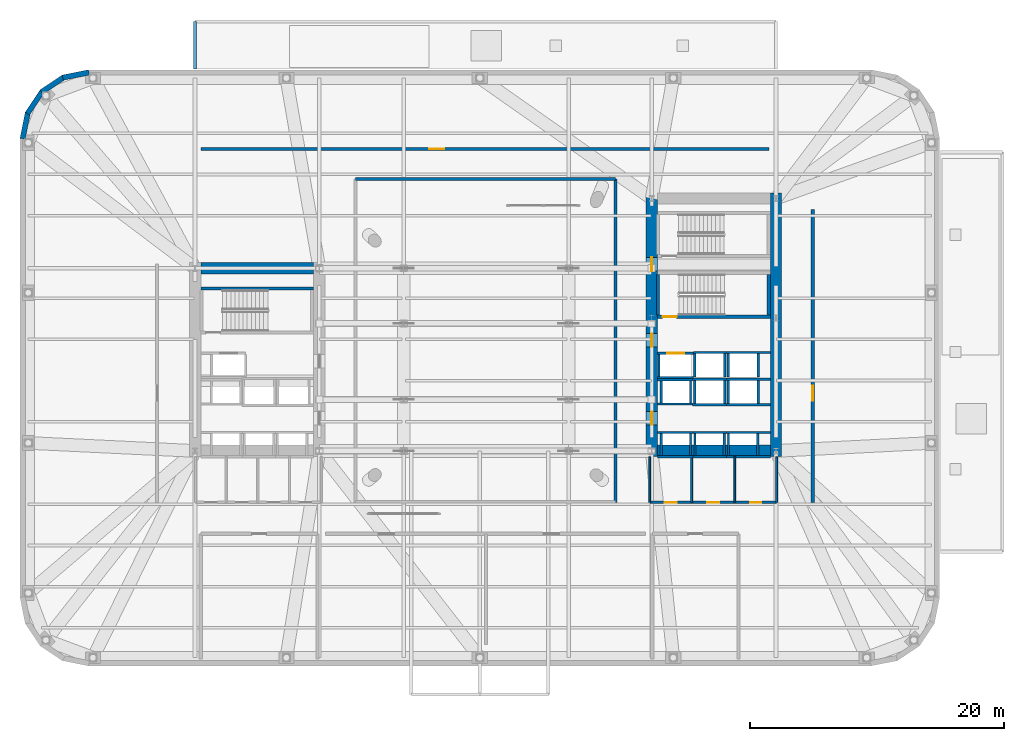
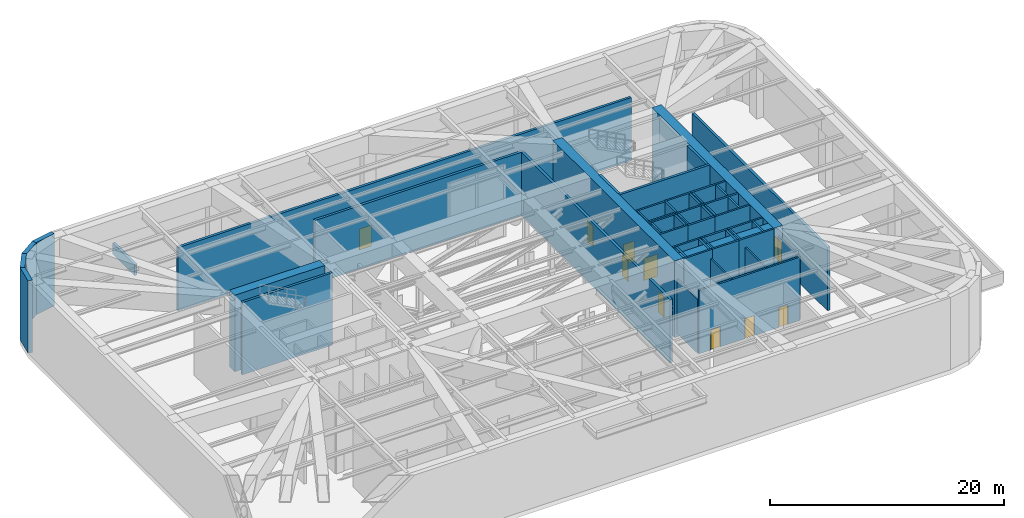
# One storey, part 9 of 15: 55 walls, 10 doors, 10 openings.
"""IFC4 building model written with IfcOpenShell, lengths in metres."""

import ifcopenshell
import ifcopenshell.guid

model = None  # the IFC model being written
_history = None  # IfcOwnerHistory: only IFC2X3 demands one
_inside = {}  # id of a spatial element -> (the spatial element, [elements in it])
_under = {}  # id of a project, library or spatial element -> (it, [spatial elements below it])
_declared = {}  # id of a project -> (the project, [libraries it declares])
_typed = {}  # id of a type object -> (the type object, [elements of that type])
_made_of = {}  # id of a material, layer set ... -> (it, [elements and type objects made of it])


def new_model(schema):
    """Start an empty IFC model of exactly this schema.

    Asked for "IFC4X3", IfcOpenShell would pick the latest addendum, in which some entities
    have other attributes; the version numbers below select the first issue.
    IFC2X3 requires an IfcOwnerHistory on every rooted entity: one is made here for all.
    """
    global model, _history
    if schema == "IFC4X3":
        model = ifcopenshell.file(schema_version=(4, 3, 0, 0))
    else:
        model = ifcopenshell.file(schema=schema)
    _inside.clear()
    _under.clear()
    _declared.clear()
    _typed.clear()
    _made_of.clear()
    _history = None
    if model.schema == "IFC2X3":
        org = make("IfcOrganization", Name="unknown")
        user = make(
            "IfcPersonAndOrganization",
            ThePerson=make("IfcPerson", FamilyName="unknown"),
            TheOrganization=org,
        )
        app = make(
            "IfcApplication",
            ApplicationDeveloper=org,
            Version="unknown",
            ApplicationFullName="unknown",
            ApplicationIdentifier="unknown",
        )
        _history = make(
            "IfcOwnerHistory",
            OwningUser=user,
            OwningApplication=app,
            ChangeAction="ADDED",
            CreationDate=0,
        )
    return model


def make(cls, **values):
    """One entity of the class cls with the attributes given. An attribute that is None is left unset."""
    return model.create_entity(
        cls, **{name: value for name, value in values.items() if value is not None}
    )


def rooted(cls, **values):
    """An entity with a GlobalId (a new one), such as an element, a storey or a relation."""
    return make(cls, GlobalId=ifcopenshell.guid.new(), OwnerHistory=_history, **values)


def si_unit(unit_type, name, prefix=None):
    """IfcSIUnit, for example si_unit("LENGTHUNIT", "METRE", prefix="MILLI")."""
    return make("IfcSIUnit", UnitType=unit_type, Prefix=prefix, Name=name)


def assignment(units):
    """IfcUnitAssignment: the units of a project."""
    return None if units is None else make("IfcUnitAssignment", Units=units)


def point(xyz):
    """IfcCartesianPoint."""
    return None if xyz is None else make("IfcCartesianPoint", Coordinates=xyz)


def direction(xyz):
    """IfcDirection."""
    return None if xyz is None else make("IfcDirection", DirectionRatios=xyz)


def frame(location, z_axis=None, x_axis=None):
    """IfcAxis2Placement3D, a coordinate frame: its origin and axes. An axis left out is left unset."""
    return make(
        "IfcAxis2Placement3D",
        Location=point(location),
        Axis=direction(z_axis),
        RefDirection=direction(x_axis),
    )


def frame_2d(location, x_axis=None):
    """IfcAxis2Placement2D, a coordinate frame in the plane: its origin and x axis."""
    return make(
        "IfcAxis2Placement2D", Location=point(location), RefDirection=direction(x_axis)
    )


def origin():
    """The frame at (0, 0, 0) with its axes left unset."""
    return frame((0.0, 0.0, 0.0))


def place(relative_to, where):
    """IfcLocalPlacement: puts the frame where relative to a parent placement (None: the world)."""
    return make(
        "IfcLocalPlacement", PlacementRelTo=relative_to, RelativePlacement=where
    )


def context(
    kind, dimensions, precision=None, world=None, true_north=None, identifier=None
):
    """IfcGeometricRepresentationContext, for example the 3D "Model" context."""
    return make(
        "IfcGeometricRepresentationContext",
        ContextIdentifier=identifier,
        ContextType=kind,
        CoordinateSpaceDimension=dimensions,
        Precision=precision,
        WorldCoordinateSystem=world,
        TrueNorth=true_north,
    )


def subcontext(parent, identifier, kind, view, scale=None):
    """IfcGeometricRepresentationSubContext, for example "Body" below "Model"."""
    return make(
        "IfcGeometricRepresentationSubContext",
        ContextIdentifier=identifier,
        ContextType=kind,
        ParentContext=parent,
        TargetScale=scale,
        TargetView=view,
    )


def project(units=None, contexts=None):
    """IfcProject with its units and contexts."""
    return rooted(
        "IfcProject",
        Name="project",
        RepresentationContexts=contexts,
        UnitsInContext=assignment(units),
    )


def spatial(cls, under=None, at=None, **own):
    """A site, building, storey or space (cls), placed at a placement, below another one or the project."""
    s = rooted(cls, ObjectPlacement=at, **own)
    if under is not None:
        _under.setdefault(under.id(), (under, []))[1].append(s)
    return s


def profile(cls, at=None, kind="AREA", **sizes):
    """A parametric profile (cls). Its sizes go by their IFC names, for example OverallWidth=200.0."""
    return make(cls, ProfileType=kind, Position=at, **sizes)


def rectangle(**sizes):
    """IfcRectangleProfileDef."""
    return profile("IfcRectangleProfileDef", **sizes)


def extrude(swept, where, along, depth):
    """IfcExtrudedAreaSolid: the profile swept, set in the frame where, extruded along a direction by depth."""
    return make(
        "IfcExtrudedAreaSolid",
        SweptArea=swept,
        Position=where,
        ExtrudedDirection=direction(along),
        Depth=depth,
    )


def shape(context_of_items, identifier, shape_type, items):
    """IfcShapeRepresentation: the items that make up one representation, for example the "Body"."""
    return make(
        "IfcShapeRepresentation",
        ContextOfItems=context_of_items,
        RepresentationIdentifier=identifier,
        RepresentationType=shape_type,
        Items=items,
    )


def material(Name=None, Category=None):
    """IfcMaterial."""
    return make("IfcMaterial", Name=Name, Category=Category)


def layer(
    of_material, thickness, ventilated=None, Name=None, Category=None, Priority=None
):
    """IfcMaterialLayer: one layer of a wall or slab, of a material (None: an air gap)."""
    return make(
        "IfcMaterialLayer",
        Material=of_material,
        LayerThickness=thickness,
        IsVentilated=ventilated,
        Name=Name,
        Category=Category,
        Priority=Priority,
    )


def layer_set(layers, Name=None):
    """IfcMaterialLayerSet."""
    return make("IfcMaterialLayerSet", MaterialLayers=layers, LayerSetName=Name)


def made_of(thing, what):
    """Note that an element or type object is made of a material, layer set ...; save() writes the relation."""
    if what is not None:
        _made_of.setdefault(what.id(), (what, []))[1].append(thing)
    return thing


def type_object(cls, material=None, **own):
    """A type object (cls), such as IfcWallType, which elements share."""
    return made_of(rooted(cls, **own), material)


def element(
    cls,
    number,
    at=None,
    inside=None,
    cuts=None,
    type_object=None,
    material=None,
    context=None,
    identifier="Body",
    shape_type=None,
    held_by="IfcProductDefinitionShape",
    body=None,
    shapes=None,
    **own,
):
    """One element of the class cls, such as IfcWall. Its Tag is "e" and its number.

    at: its placement. inside: the storey or other place that contains it. cuts: it is an
    opening in that element (IfcRelVoidsElement). A single representation is given by context,
    identifier, shape_type and body (its items); several are given by shapes. held_by: the class
    of the entity that holds the representations. save() writes the other relations.
    """
    e = rooted(cls, Tag="e%d" % number, ObjectPlacement=at, **own)
    if body is not None:
        shapes = [shape(context, identifier, shape_type, body)]
    if shapes is not None:
        e.Representation = make(held_by, Representations=shapes)
    if inside is not None:
        _inside.setdefault(inside.id(), (inside, []))[1].append(e)
    if cuts is not None:
        rooted(
            "IfcRelVoidsElement", RelatingBuildingElement=cuts, RelatedOpeningElement=e
        )
    if type_object is not None:
        _typed.setdefault(type_object.id(), (type_object, []))[1].append(e)
    return made_of(e, material)


def fill(opening, filler):
    """IfcRelFillsElement: the door or window that sits in an opening."""
    return rooted(
        "IfcRelFillsElement",
        RelatingOpeningElement=opening,
        RelatedBuildingElement=filler,
    )


def aggregate(whole, parts):
    """IfcRelAggregates: a whole, such as a stair, and the parts it consists of."""
    return rooted("IfcRelAggregates", RelatingObject=whole, RelatedObjects=parts)


def save(model, path):
    """Write the relations noted so far, then the file.

    IfcRelAggregates (storeys below a building ...), IfcRelContainedInSpatialStructure (elements
    in a storey), IfcRelDefinesByType, IfcRelAssociatesMaterial and IfcRelDeclares: one each for
    every whole, place, type object, material and project.
    """
    for whole, parts in _under.values():
        aggregate(whole, parts)
    for where, things in _inside.values():
        rooted(
            "IfcRelContainedInSpatialStructure",
            RelatedElements=things,
            RelatingStructure=where,
        )
    for kind, things in _typed.values():
        rooted("IfcRelDefinesByType", RelatedObjects=things, RelatingType=kind)
    for what, things in _made_of.values():
        rooted("IfcRelAssociatesMaterial", RelatedObjects=things, RelatingMaterial=what)
    for by, libraries in _declared.values():
        rooted("IfcRelDeclares", RelatingContext=by, RelatedDefinitions=libraries)
    model.write(path)


model = new_model("IFC4")

# Units and contexts
model_context = context("Model", 3, precision=1e-05, world=origin(), true_north=direction((0.0, 1.0)))
body_context = subcontext(model_context, "Body", "Model", "MODEL_VIEW")
ifc_project = project(units=[si_unit("LENGTHUNIT", "METRE"), si_unit("AREAUNIT", "SQUARE_METRE"), si_unit("VOLUMEUNIT", "CUBIC_METRE"), si_unit("PLANEANGLEUNIT", "RADIAN"), si_unit("MASSUNIT", "GRAM", prefix="KILO")], contexts=[model_context])

# Site, building, storey
site_placement = place(None, origin())
site = spatial("IfcSite", under=ifc_project, at=site_placement, CompositionType="ELEMENT")
building_placement = place(site_placement, origin())
building = spatial("IfcBuilding", under=site, at=building_placement, Name="Kolvaren Arena Tower", CompositionType="ELEMENT")
storey_placement = place(building_placement, frame((0.0, 0.0, 34.0)))
storey = spatial("IfcBuildingStorey", under=building, at=storey_placement, Name="L06", CompositionType="ELEMENT", Elevation=34.0)

# Wall
ifc_material_1 = material(Name="Concrete 80 MPa", Category="concrete")
ifc_layer_1 = layer(ifc_material_1, 0.89990234375)
ifc_layer_set_1 = layer_set([ifc_layer_1], Name="Concrete 80 MPa")
wall_type_1 = type_object("IfcWallType", Name="CWALL-900", PredefinedType="SHEAR", material=ifc_layer_set_1)
wall_1_placement = place(storey_placement, frame((15.0, 33.85009765625, -0.449951171875), z_axis=(0.0, 0.0, 1.0), x_axis=(1.0, 0.0, 0.0)))
element("IfcWall", 1, at=wall_1_placement, inside=storey, type_object=wall_type_1, Name="Core Shear Wall WC-NORTH (L06)", PredefinedType="SHEAR", context=body_context, shape_type="SweptSolid", body=[
    extrude(rectangle(XDim=8.89990234375, YDim=0.89990234375, at=frame_2d((4.449951171875, 0.0))), origin(), (0.0, 0.0, 1.0), 8.0),
])

# Wall, openings, doors
wall_2_placement = place(storey_placement, frame((50.550048828125, 19.0, -0.449951171875), z_axis=(0.0, 0.0, 1.0), x_axis=(0.0, 1.0, 0.0)))
wall_2 = element("IfcWall", 2, at=wall_2_placement, inside=storey, type_object=wall_type_1, Name="Core Shear Wall EC-WEST (L06)", PredefinedType="SHEAR", context=body_context, shape_type="SweptSolid", body=[
    extrude(rectangle(XDim=20.800048828125, YDim=0.89990234375, at=frame_2d((10.39990234375, 0.0))), origin(), (0.0, 0.0, 1.0), 8.0),
])
opening_1_placement = place(wall_2_placement, frame((2.5, 0.0, 0.449951171875)))
opening_1 = element("IfcOpeningElement", 3, at=opening_1_placement, cuts=wall_2, Name="Opening D04", PredefinedType="OPENING", context=body_context, shape_type="SweptSolid", body=[
    extrude(rectangle(XDim=1.050048828125, YDim=2.14990234375, at=frame_2d((0.52490234375, 1.074951171875))), frame((0.0, 0.4599609375, 0.0), z_axis=(0.0, -1.0, 0.0), x_axis=(1.0, 0.0, 0.0)), (0.0, 0.0, 1.0), 0.919921875),
])
opening_2_placement = place(wall_2_placement, frame((8.64990234375, 0.0, 0.449951171875)))
opening_2 = element("IfcOpeningElement", 4, at=opening_2_placement, cuts=wall_2, Name="Opening D04", PredefinedType="OPENING", context=body_context, shape_type="SweptSolid", body=[
    extrude(rectangle(XDim=1.050048828125, YDim=2.14990234375, at=frame_2d((0.52490234375, 1.074951171875))), frame((0.0, 0.4599609375, 0.0), z_axis=(0.0, -1.0, 0.0), x_axis=(1.0, 0.0, 0.0)), (0.0, 0.0, 1.0), 0.919921875),
])
opening_3_placement = place(wall_2_placement, frame((14.6201171875, 0.0, 0.449951171875)))
opening_3 = element("IfcOpeningElement", 5, at=opening_3_placement, cuts=wall_2, Name="Opening D03", PredefinedType="OPENING", context=body_context, shape_type="SweptSolid", body=[
    extrude(rectangle(XDim=1.10009765625, YDim=2.14990234375, at=frame_2d((0.550048828125, 1.074951171875))), frame((0.0, 0.4599609375, 0.0), z_axis=(0.0, -1.0, 0.0), x_axis=(1.0, 0.0, 0.0)), (0.0, 0.0, 1.0), 0.919921875),
])
ifc_material_2 = material(Name="Fire-rated steel lobby door", Category="steel")
door_type_1 = type_object("IfcDoorType", Name="DOOR-FF-105", OperationType="NOTDEFINED", PredefinedType="DOOR", material=ifc_material_2)
door_1_placement = place(opening_1_placement, origin())
door_1 = element("IfcDoor", 6, at=door_1_placement, inside=storey, type_object=door_type_1, Name="East Lift Lobby Fire Door (L06)", OperationType="SINGLE_SWING_RIGHT", OverallHeight=2.14990234375, OverallWidth=1.050048828125, PredefinedType="DOOR", context=body_context, shape_type="SweptSolid", body=[
    extrude(rectangle(XDim=1.050048828125, YDim=2.14990234375, at=frame_2d((0.52490234375, 1.074951171875))), frame((0.0, 0.02490234375, 0.0), z_axis=(0.0, -1.0, 0.0), x_axis=(1.0, 0.0, 0.0)), (0.0, 0.0, 1.0), 0.050048828125),
])
fill(opening_1, door_1)
door_2_placement = place(opening_2_placement, origin())
door_2 = element("IfcDoor", 7, at=door_2_placement, inside=storey, type_object=door_type_1, Name="East Firefighter Vestibule Door (L06)", OperationType="SINGLE_SWING_LEFT", OverallHeight=2.14990234375, OverallWidth=1.050048828125, PredefinedType="DOOR", context=body_context, shape_type="SweptSolid", body=[
    extrude(rectangle(XDim=1.050048828125, YDim=2.14990234375, at=frame_2d((0.52490234375, 1.074951171875))), frame((0.0, 0.02490234375, 0.0), z_axis=(0.0, -1.0, 0.0), x_axis=(1.0, 0.0, 0.0)), (0.0, 0.0, 1.0), 0.050048828125),
])
fill(opening_2, door_2)
ifc_material_3 = material(Name="Fire-rated steel exit stair door", Category="steel")
door_type_2 = type_object("IfcDoorType", Name="DOOR-ST-110", OperationType="NOTDEFINED", PredefinedType="DOOR", material=ifc_material_3)
door_3_placement = place(opening_3_placement, origin())
door_3 = element("IfcDoor", 8, at=door_3_placement, inside=storey, type_object=door_type_2, Name="Stair ST-E2 Vestibule Fire Door (L06)", OperationType="SINGLE_SWING_LEFT", OverallHeight=2.14990234375, OverallWidth=1.10009765625, PredefinedType="DOOR", context=body_context, shape_type="SweptSolid", body=[
    extrude(rectangle(XDim=1.10009765625, YDim=2.14990234375, at=frame_2d((0.550048828125, 1.074951171875))), frame((0.0, 0.02490234375, 0.0), z_axis=(0.0, -1.0, 0.0), x_axis=(1.0, 0.0, 0.0)), (0.0, 0.0, 1.0), 0.050048828125),
])
fill(opening_3, door_3)

# Walls
wall_3_placement = place(storey_placement, frame((60.35009765625, 19.0, -0.449951171875), z_axis=(0.0, 0.0, 1.0), x_axis=(0.0, 1.0, 0.0)))
element("IfcWall", 9, at=wall_3_placement, inside=storey, type_object=wall_type_1, Name="Core Shear Wall EC-EAST (L06)", PredefinedType="SHEAR", context=body_context, shape_type="SweptSolid", body=[
    extrude(rectangle(XDim=20.800048828125, YDim=0.89990234375, at=frame_2d((10.39990234375, 0.0))), origin(), (0.0, 0.0, 1.0), 8.0),
])
wall_4_placement = place(storey_placement, frame((51.0, 19.449951171875, -0.449951171875), z_axis=(0.0, 0.0, 1.0), x_axis=(1.0, 0.0, 0.0)))
element("IfcWall", 10, at=wall_4_placement, inside=storey, type_object=wall_type_1, Name="Core Shear Wall EC-SOUTH (L06)", PredefinedType="SHEAR", context=body_context, shape_type="SweptSolid", body=[
    extrude(rectangle(XDim=8.89990234375, YDim=0.89990234375, at=frame_2d((4.449951171875, 0.0))), origin(), (0.0, 0.0, 1.0), 8.0),
])
ifc_material_4 = material(Name="Precast concrete C50/60", Category="concrete")
ifc_layer_2 = layer(ifc_material_4, 0.419921875)
ifc_layer_set_2 = layer_set([ifc_layer_2], Name="Precast concrete C50/60")
wall_type_2 = type_object("IfcWallType", Name="EXT-PIER1", PredefinedType="SOLIDWALL", material=ifc_layer_set_2)
for number, where, z_axis, x_axis, name in (
    (11, (4.12451171875, 48.8828125, 0.0), (0.0, 0.0, 1.0), (0.9807762837, 0.195135546048, 0.0), "Exterior Precast Masonry-Frame Wall (L06)"),
    (12, (2.4482421875, 47.743896484375, 0.0), (0.0, 0.0, 1.0), (0.831515102434, 0.555502146192, 0.0), "Exterior Precast Masonry-Frame Wall (L06)"),
    (13, (1.335693359375, 46.0498046875, 0.0), (0.0, 0.0, 1.0), (0.555502146192, 0.831515102434, 0.0), "Exterior Precast Masonry-Frame Wall (L06)"),
    (14, (0.9560546875, 44.05908203125, 0.0), (0.0, 0.0, 1.0), (0.195135546048, 0.9807762837, 0.0), "Exterior Precast Masonry-Frame Wall (L06)"),
):
    element("IfcWall", number, at=place(storey_placement, frame(where, z_axis=z_axis, x_axis=x_axis)), inside=storey, type_object=wall_type_2, Name=name, PredefinedType="SOLIDWALL", context=body_context, shape_type="SweptSolid", body=[
        extrude(rectangle(XDim=2.10693359375, YDim=0.419921875, at=frame_2d((1.053466796875, 0.0))), origin(), (0.0, 0.0, 1.0), 7.550048828125),
    ])
ifc_material_5 = material(Name="Precast concrete C45/55", Category="concrete")
ifc_layer_3 = layer(ifc_material_5, 0.25)
ifc_layer_set_3 = layer_set([ifc_layer_3], Name="Precast concrete C45/55")
wall_type_3 = type_object("IfcWallType", Name="PARAP-250", PredefinedType="PARAPET", material=ifc_layer_set_3)
wall_5_placement = place(storey_placement, frame((14.550048828125, 49.550048828125, 0.0), z_axis=(0.0, 0.0, 1.0), x_axis=(0.0, 1.0, 0.0)))
element("IfcWall", 15, at=wall_5_placement, inside=storey, type_object=wall_type_3, Name="Podium Low-Roof Maintenance Parapet (North 1)", PredefinedType="PARAPET", context=body_context, shape_type="SweptSolid", body=[
    extrude(rectangle(XDim=3.75, YDim=0.25, at=frame_2d((1.875, 0.0))), origin(), (0.0, 0.0, 1.0), 1.14990234375),
])
ifc_material_6 = material(Name="Concrete 45 MPa", Category="concrete")
ifc_layer_4 = layer(ifc_material_6, 0.25)
ifc_layer_set_4 = layer_set([ifc_layer_4], Name="Concrete 45 MPa")
wall_type_4 = type_object("IfcWallType", Name="SHAFT-250", PredefinedType="SOLIDWALL", material=ifc_layer_set_4)
wall_6_placement = place(storey_placement, frame((15.0, 32.25, 0.0), z_axis=(0.0, 0.0, 1.0), x_axis=(1.0, 0.0, 0.0)))
element("IfcWall", 16, at=wall_6_placement, inside=storey, type_object=wall_type_4, Name="Core Shaft Wall (L06)", PredefinedType="SOLIDWALL", context=body_context, shape_type="SweptSolid", body=[
    extrude(rectangle(XDim=8.89990234375, YDim=0.239990234375, at=frame_2d((4.449951171875, 0.0))), origin(), (0.0, 0.0, 1.0), 7.550048828125),
])

# Wall, opening, door
wall_7_placement = place(storey_placement, frame((59.89990234375, 30.030029296875, 0.0), z_axis=(0.0, 0.0, 1.0), x_axis=(-1.0, 0.0, 0.0)))
wall_7 = element("IfcWall", 17, at=wall_7_placement, inside=storey, type_object=wall_type_4, Name="Core Shaft Wall (L06)", PredefinedType="SOLIDWALL", context=body_context, shape_type="SweptSolid", body=[
    extrude(rectangle(XDim=8.89990234375, YDim=0.239990234375, at=frame_2d((4.449951171875, 0.0))), origin(), (0.0, 0.0, 1.0), 7.550048828125),
])
opening_4_placement = place(wall_7_placement, frame((7.3798828125, 0.0, 0.0)))
opening_4 = element("IfcOpeningElement", 18, at=opening_4_placement, cuts=wall_7, Name="Opening D03", PredefinedType="OPENING", context=body_context, shape_type="SweptSolid", body=[
    extrude(rectangle(XDim=1.10009765625, YDim=2.14990234375, at=frame_2d((0.550048828125, 1.074951171875))), frame((0.0, 0.1298828125, 0.0), z_axis=(0.0, -1.0, 0.0), x_axis=(1.0, 0.0, 0.0)), (0.0, 0.0, 1.0), 0.260009765625),
])
door_4_placement = place(opening_4_placement, origin())
door_4 = element("IfcDoor", 19, at=door_4_placement, inside=storey, type_object=door_type_2, Name="Stair ST-E1 Fire Door (L06)", OperationType="SINGLE_SWING_LEFT", OverallHeight=2.14990234375, OverallWidth=1.10009765625, PredefinedType="DOOR", context=body_context, shape_type="SweptSolid", body=[
    extrude(rectangle(XDim=1.10009765625, YDim=2.14990234375, at=frame_2d((0.550048828125, 1.074951171875))), frame((0.0, 0.02490234375, 0.0), z_axis=(0.0, -1.0, 0.0), x_axis=(1.0, 0.0, 0.0)), (0.0, 0.0, 1.0), 0.050048828125),
])
fill(opening_4, door_4)

# Walls
for number, where, z_axis, x_axis, name in (
    (20, (51.06005859375, 30.14990234375, 0.0), (0.0, 0.0, 1.0), (0.0, 1.0, 0.0), "Core Shaft Wall (L06)"),
    (21, (59.780029296875, 30.14990234375, 0.0), (0.0, 0.0, 1.0), (0.0, 1.0, 0.0), "Core Shaft Wall (L06)"),
):
    element("IfcWall", number, at=place(storey_placement, frame(where, z_axis=z_axis, x_axis=x_axis)), inside=storey, type_object=wall_type_4, Name=name, PredefinedType="SOLIDWALL", context=body_context, shape_type="SweptSolid", body=[
        extrude(rectangle(XDim=3.22998046875, YDim=0.239990234375, at=frame_2d((1.614990234375, 0.0))), origin(), (0.0, 0.0, 1.0), 7.550048828125),
    ])
for number, where, z_axis, x_axis, name in (
    (22, (51.0, 20.905029296875, 0.0), (0.0, 0.0, 1.0), (1.0, 0.0, 0.0), "Core Shaft Wall (L06)"),
    (23, (51.0, 18.9951171875, 0.0), (0.0, 0.0, 1.0), (1.0, 0.0, 0.0), "Core Shaft Wall (L06)"),
):
    element("IfcWall", number, at=place(storey_placement, frame(where, z_axis=z_axis, x_axis=x_axis)), inside=storey, type_object=wall_type_4, Name=name, PredefinedType="SOLIDWALL", context=body_context, shape_type="SweptSolid", body=[
        extrude(rectangle(XDim=2.7900390625, YDim=0.179931640625, at=frame_2d((1.39501953125, 0.0))), origin(), (0.0, 0.0, 1.0), 7.550048828125),
    ])
for number, where, z_axis, x_axis, name in (
    (24, (51.304931640625, 19.0849609375, 0.0), (0.0, 0.0, 1.0), (0.0, 1.0, 0.0), "Core Shaft Wall (L06)"),
    (25, (53.614990234375, 19.0849609375, 0.0), (0.0, 0.0, 1.0), (0.0, 1.0, 0.0), "Core Shaft Wall (L06)"),
):
    element("IfcWall", number, at=place(storey_placement, frame(where, z_axis=z_axis, x_axis=x_axis)), inside=storey, type_object=wall_type_4, Name=name, PredefinedType="SOLIDWALL", context=body_context, shape_type="SweptSolid", body=[
        extrude(rectangle(XDim=1.72998046875, YDim=0.179931640625, at=frame_2d((0.864990234375, 0.0))), origin(), (0.0, 0.0, 1.0), 7.550048828125),
    ])
for number, where, z_axis, x_axis, name in (
    (26, (53.7900390625, 20.905029296875, 0.0), (0.0, 0.0, 1.0), (1.0, 0.0, 0.0), "Core Shaft Wall (L06)"),
    (27, (53.7900390625, 18.9951171875, 0.0), (0.0, 0.0, 1.0), (1.0, 0.0, 0.0), "Core Shaft Wall (L06)"),
):
    element("IfcWall", number, at=place(storey_placement, frame(where, z_axis=z_axis, x_axis=x_axis)), inside=storey, type_object=wall_type_4, Name=name, PredefinedType="SOLIDWALL", context=body_context, shape_type="SweptSolid", body=[
        extrude(rectangle(XDim=2.64990234375, YDim=0.179931640625, at=frame_2d((1.324951171875, 0.0))), origin(), (0.0, 0.0, 1.0), 7.550048828125),
    ])
for number, where, z_axis, x_axis, name in (
    (28, (53.965087890625, 19.0849609375, 0.0), (0.0, 0.0, 1.0), (0.0, 1.0, 0.0), "Core Shaft Wall (L06)"),
    (29, (56.27490234375, 19.0849609375, 0.0), (0.0, 0.0, 1.0), (0.0, 1.0, 0.0), "Core Shaft Wall (L06)"),
):
    element("IfcWall", number, at=place(storey_placement, frame(where, z_axis=z_axis, x_axis=x_axis)), inside=storey, type_object=wall_type_4, Name=name, PredefinedType="SOLIDWALL", context=body_context, shape_type="SweptSolid", body=[
        extrude(rectangle(XDim=1.72998046875, YDim=0.179931640625, at=frame_2d((0.864990234375, 0.0))), origin(), (0.0, 0.0, 1.0), 7.550048828125),
    ])
for number, where, z_axis, x_axis, name in (
    (30, (56.43994140625, 20.905029296875, 0.0), (0.0, 0.0, 1.0), (1.0, 0.0, 0.0), "Core Shaft Wall (L06)"),
    (31, (56.43994140625, 18.9951171875, 0.0), (0.0, 0.0, 1.0), (1.0, 0.0, 0.0), "Core Shaft Wall (L06)"),
):
    element("IfcWall", number, at=place(storey_placement, frame(where, z_axis=z_axis, x_axis=x_axis)), inside=storey, type_object=wall_type_4, Name=name, PredefinedType="SOLIDWALL", context=body_context, shape_type="SweptSolid", body=[
        extrude(rectangle(XDim=3.4599609375, YDim=0.179931640625, at=frame_2d((1.72998046875, 0.0))), origin(), (0.0, 0.0, 1.0), 7.550048828125),
    ])
for number, where, z_axis, x_axis, name in (
    (32, (56.60498046875, 19.0849609375, 0.0), (0.0, 0.0, 1.0), (0.0, 1.0, 0.0), "Core Shaft Wall (L06)"),
    (33, (58.9150390625, 19.0849609375, 0.0), (0.0, 0.0, 1.0), (0.0, 1.0, 0.0), "Core Shaft Wall (L06)"),
):
    element("IfcWall", number, at=place(storey_placement, frame(where, z_axis=z_axis, x_axis=x_axis)), inside=storey, type_object=wall_type_4, Name=name, PredefinedType="SOLIDWALL", context=body_context, shape_type="SweptSolid", body=[
        extrude(rectangle(XDim=1.72998046875, YDim=0.179931640625, at=frame_2d((0.864990234375, 0.0))), origin(), (0.0, 0.0, 1.0), 7.550048828125),
    ])
for number, where, z_axis, x_axis, name in (
    (34, (51.0, 25.054931640625, 0.0), (0.0, 0.0, 1.0), (1.0, 0.0, 0.0), "Core Shaft Wall (L06)"),
    (35, (51.0, 23.14501953125, 0.0), (0.0, 0.0, 1.0), (1.0, 0.0, 0.0), "Core Shaft Wall (L06)"),
):
    element("IfcWall", number, at=place(storey_placement, frame(where, z_axis=z_axis, x_axis=x_axis)), inside=storey, type_object=wall_type_4, Name=name, PredefinedType="SOLIDWALL", context=body_context, shape_type="SweptSolid", body=[
        extrude(rectangle(XDim=2.777587890625, YDim=0.179931640625, at=frame_2d((1.388671875, 0.0))), origin(), (0.0, 0.0, 1.0), 7.550048828125),
    ])
for number, where, z_axis, x_axis, name in (
    (36, (51.304931640625, 23.235107421875, 0.0), (0.0, 0.0, 1.0), (0.0, 1.0, 0.0), "Core Shaft Wall (L06)"),
    (37, (53.614990234375, 23.235107421875, 0.0), (0.0, 0.0, 1.0), (0.0, 1.0, 0.0), "Core Shaft Wall (L06)"),
):
    element("IfcWall", number, at=place(storey_placement, frame(where, z_axis=z_axis, x_axis=x_axis)), inside=storey, type_object=wall_type_4, Name=name, PredefinedType="SOLIDWALL", context=body_context, shape_type="SweptSolid", body=[
        extrude(rectangle(XDim=1.72998046875, YDim=0.179931640625, at=frame_2d((0.864990234375, 0.0))), origin(), (0.0, 0.0, 1.0), 7.550048828125),
    ])
for number, where, z_axis, x_axis, name in (
    (38, (53.777587890625, 25.10498046875, 0.0), (0.0, 0.0, 1.0), (1.0, 0.0, 0.0), "Core Shaft Wall (L06)"),
    (39, (53.777587890625, 23.094970703125, 0.0), (0.0, 0.0, 1.0), (1.0, 0.0, 0.0), "Core Shaft Wall (L06)"),
):
    element("IfcWall", number, at=place(storey_placement, frame(where, z_axis=z_axis, x_axis=x_axis)), inside=storey, type_object=wall_type_4, Name=name, PredefinedType="SOLIDWALL", context=body_context, shape_type="SweptSolid", body=[
        extrude(rectangle(XDim=2.662353515625, YDim=0.179931640625, at=frame_2d((1.3310546875, 0.0))), origin(), (0.0, 0.0, 1.0), 7.550048828125),
    ])
for number, where, z_axis, x_axis, name in (
    (40, (53.93994140625, 23.18505859375, 0.0), (0.0, 0.0, 1.0), (0.0, 1.0, 0.0), "Core Shaft Wall (L06)"),
    (41, (56.300048828125, 23.18505859375, 0.0), (0.0, 0.0, 1.0), (0.0, 1.0, 0.0), "Core Shaft Wall (L06)"),
):
    element("IfcWall", number, at=place(storey_placement, frame(where, z_axis=z_axis, x_axis=x_axis)), inside=storey, type_object=wall_type_4, Name=name, PredefinedType="SOLIDWALL", context=body_context, shape_type="SweptSolid", body=[
        extrude(rectangle(XDim=1.829833984375, YDim=0.179931640625, at=frame_2d((0.9150390625, 0.0))), origin(), (0.0, 0.0, 1.0), 7.550048828125),
    ])
for number, where, z_axis, x_axis, name in (
    (42, (56.43994140625, 25.10498046875, 0.0), (0.0, 0.0, 1.0), (1.0, 0.0, 0.0), "Core Shaft Wall (L06)"),
    (43, (56.43994140625, 23.094970703125, 0.0), (0.0, 0.0, 1.0), (1.0, 0.0, 0.0), "Core Shaft Wall (L06)"),
):
    element("IfcWall", number, at=place(storey_placement, frame(where, z_axis=z_axis, x_axis=x_axis)), inside=storey, type_object=wall_type_4, Name=name, PredefinedType="SOLIDWALL", context=body_context, shape_type="SweptSolid", body=[
        extrude(rectangle(XDim=3.4599609375, YDim=0.179931640625, at=frame_2d((1.72998046875, 0.0))), origin(), (0.0, 0.0, 1.0), 7.550048828125),
    ])
for number, where, z_axis, x_axis, name in (
    (44, (56.580078125, 23.18505859375, 0.0), (0.0, 0.0, 1.0), (0.0, 1.0, 0.0), "Core Shaft Wall (L06)"),
    (45, (58.93994140625, 23.18505859375, 0.0), (0.0, 0.0, 1.0), (0.0, 1.0, 0.0), "Core Shaft Wall (L06)"),
):
    element("IfcWall", number, at=place(storey_placement, frame(where, z_axis=z_axis, x_axis=x_axis)), inside=storey, type_object=wall_type_4, Name=name, PredefinedType="SOLIDWALL", context=body_context, shape_type="SweptSolid", body=[
        extrude(rectangle(XDim=1.829833984375, YDim=0.179931640625, at=frame_2d((0.9150390625, 0.0))), origin(), (0.0, 0.0, 1.0), 7.550048828125),
    ])
wall_8_placement = place(storey_placement, frame((53.864990234375, 27.205078125, 0.0), z_axis=(0.0, 0.0, 1.0), x_axis=(1.0, 0.0, 0.0)))
element("IfcWall", 46, at=wall_8_placement, inside=storey, type_object=wall_type_4, Name="Core Shaft Wall (L06)", PredefinedType="SOLIDWALL", context=body_context, shape_type="SweptSolid", body=[
    extrude(rectangle(XDim=2.574951171875, YDim=0.179931640625, at=frame_2d((1.28759765625, 0.0))), origin(), (0.0, 0.0, 1.0), 7.550048828125),
])
for number, where, z_axis, x_axis, name in (
    (47, (53.93994140625, 25.284912109375, 0.0), (0.0, 0.0, 1.0), (0.0, 1.0, 0.0), "Core Shaft Wall (L06)"),
    (48, (56.300048828125, 25.284912109375, 0.0), (0.0, 0.0, 1.0), (0.0, 1.0, 0.0), "Core Shaft Wall (L06)"),
):
    element("IfcWall", number, at=place(storey_placement, frame(where, z_axis=z_axis, x_axis=x_axis)), inside=storey, type_object=wall_type_4, Name=name, PredefinedType="SOLIDWALL", context=body_context, shape_type="SweptSolid", body=[
        extrude(rectangle(XDim=1.830078125, YDim=0.179931640625, at=frame_2d((0.9150390625, 0.0))), origin(), (0.0, 0.0, 1.0), 7.550048828125),
    ])
wall_9_placement = place(storey_placement, frame((56.43994140625, 27.205078125, 0.0), z_axis=(0.0, 0.0, 1.0), x_axis=(1.0, 0.0, 0.0)))
element("IfcWall", 49, at=wall_9_placement, inside=storey, type_object=wall_type_4, Name="Core Shaft Wall (L06)", PredefinedType="SOLIDWALL", context=body_context, shape_type="SweptSolid", body=[
    extrude(rectangle(XDim=3.4599609375, YDim=0.179931640625, at=frame_2d((1.72998046875, 0.0))), origin(), (0.0, 0.0, 1.0), 7.550048828125),
])
for number, where, z_axis, x_axis, name in (
    (50, (56.580078125, 25.284912109375, 0.0), (0.0, 0.0, 1.0), (0.0, 1.0, 0.0), "Core Shaft Wall (L06)"),
    (51, (58.93994140625, 25.284912109375, 0.0), (0.0, 0.0, 1.0), (0.0, 1.0, 0.0), "Core Shaft Wall (L06)"),
):
    element("IfcWall", number, at=place(storey_placement, frame(where, z_axis=z_axis, x_axis=x_axis)), inside=storey, type_object=wall_type_4, Name=name, PredefinedType="SOLIDWALL", context=body_context, shape_type="SweptSolid", body=[
        extrude(rectangle(XDim=1.830078125, YDim=0.179931640625, at=frame_2d((0.9150390625, 0.0))), origin(), (0.0, 0.0, 1.0), 7.550048828125),
    ])

# Wall, opening, door
wall_10_placement = place(storey_placement, frame((51.0, 27.155029296875, 0.0), z_axis=(0.0, 0.0, 1.0), x_axis=(1.0, 0.0, 0.0)))
wall_10 = element("IfcWall", 52, at=wall_10_placement, inside=storey, type_object=wall_type_4, Name="Core Shaft Wall (L06)", PredefinedType="SOLIDWALL", context=body_context, shape_type="SweptSolid", body=[
    extrude(rectangle(XDim=2.864990234375, YDim=0.179931640625, at=frame_2d((1.4326171875, 0.0))), origin(), (0.0, 0.0, 1.0), 7.550048828125),
])
opening_5_placement = place(wall_10_placement, frame((0.784912109375, 0.0, 0.0)))
opening_5 = element("IfcOpeningElement", 53, at=opening_5_placement, cuts=wall_10, Name="Opening LD2", PredefinedType="OPENING", context=body_context, shape_type="SweptSolid", body=[
    extrude(rectangle(XDim=1.35009765625, YDim=2.300048828125, at=frame_2d((0.675048828125, 1.14990234375))), frame((0.0, 0.099853515625, 0.0), z_axis=(0.0, -1.0, 0.0), x_axis=(1.0, 0.0, 0.0)), (0.0, 0.0, 1.0), 0.199951171875),
])
ifc_material_7 = material(Name="Stainless steel firefighter lift landing door", Category="steel")
door_type_3 = type_object("IfcDoorType", Name="DOOR-LD-135", OperationType="DOUBLE_DOOR_SLIDING", PredefinedType="DOOR", material=ifc_material_7)
door_5_placement = place(opening_5_placement, origin())
door_5 = element("IfcDoor", 54, at=door_5_placement, inside=storey, type_object=door_type_3, Name="Firefighter Lift FF-E1 Landing Door (L06)", OperationType="DOUBLE_DOOR_SLIDING", OverallHeight=2.300048828125, OverallWidth=1.35009765625, PredefinedType="DOOR", context=body_context, shape_type="SweptSolid", body=[
    extrude(rectangle(XDim=1.35009765625, YDim=2.300048828125, at=frame_2d((0.675048828125, 1.14990234375))), frame((0.0, 0.02490234375, 0.0), z_axis=(0.0, -1.0, 0.0), x_axis=(1.0, 0.0, 0.0)), (0.0, 0.0, 1.0), 0.050048828125),
])
fill(opening_5, door_5)

# Walls
wall_11_placement = place(storey_placement, frame((51.0, 25.2451171875, 0.0), z_axis=(0.0, 0.0, 1.0), x_axis=(1.0, 0.0, 0.0)))
element("IfcWall", 55, at=wall_11_placement, inside=storey, type_object=wall_type_4, Name="Core Shaft Wall (L06)", PredefinedType="SOLIDWALL", context=body_context, shape_type="SweptSolid", body=[
    extrude(rectangle(XDim=2.864990234375, YDim=0.179931640625, at=frame_2d((1.4326171875, 0.0))), origin(), (0.0, 0.0, 1.0), 7.550048828125),
])
wall_12_placement = place(storey_placement, frame((51.1298828125, 25.3349609375, 0.0), z_axis=(0.0, 0.0, 1.0), x_axis=(0.0, 1.0, 0.0)))
element("IfcWall", 56, at=wall_12_placement, inside=storey, type_object=wall_type_4, Name="Core Shaft Wall (L06)", PredefinedType="SOLIDWALL", context=body_context, shape_type="SweptSolid", body=[
    extrude(rectangle(XDim=1.72998046875, YDim=0.179931640625, at=frame_2d((0.864990234375, 0.0))), origin(), (0.0, 0.0, 1.0), 7.550048828125),
])

# Wall, openings, doors
wall_13_placement = place(storey_placement, frame((50.39990234375, 15.39990234375, 0.0), z_axis=(0.0, 0.0, 1.0), x_axis=(1.0, 0.0, 0.0)))
wall_13 = element("IfcWall", 57, at=wall_13_placement, inside=storey, type_object=wall_type_4, Name="Interior Partition Wall (L06)", PredefinedType="SOLIDWALL", context=body_context, shape_type="SweptSolid", body=[
    extrude(rectangle(XDim=10.0, YDim=0.179931640625, at=frame_2d((5.0, 0.0))), origin(), (0.0, 0.0, 1.0), 6.610107421875),
])
opening_6_placement = place(wall_13_placement, frame((1.18994140625, 0.0, 0.0)))
opening_6 = element("IfcOpeningElement", 58, at=opening_6_placement, cuts=wall_13, Name="Opening D07", PredefinedType="OPENING", context=body_context, shape_type="SweptSolid", body=[
    extrude(rectangle(XDim=0.919921875, YDim=2.10009765625, at=frame_2d((0.4599609375, 1.050048828125))), frame((0.0, 0.099853515625, 0.0), z_axis=(0.0, -1.0, 0.0), x_axis=(1.0, 0.0, 0.0)), (0.0, 0.0, 1.0), 0.199951171875),
])
opening_7_placement = place(wall_13_placement, frame((4.5400390625, 0.0, 0.0)))
opening_7 = element("IfcOpeningElement", 59, at=opening_7_placement, cuts=wall_13, Name="Opening D07", PredefinedType="OPENING", context=body_context, shape_type="SweptSolid", body=[
    extrude(rectangle(XDim=0.919921875, YDim=2.10009765625, at=frame_2d((0.4599609375, 1.050048828125))), frame((0.0, 0.099853515625, 0.0), z_axis=(0.0, -1.0, 0.0), x_axis=(1.0, 0.0, 0.0)), (0.0, 0.0, 1.0), 0.199951171875),
])
opening_8_placement = place(wall_13_placement, frame((7.919921875, 0.0, 0.0)))
opening_8 = element("IfcOpeningElement", 60, at=opening_8_placement, cuts=wall_13, Name="Opening D09", PredefinedType="OPENING", context=body_context, shape_type="SweptSolid", body=[
    extrude(rectangle(XDim=0.860107421875, YDim=2.050048828125, at=frame_2d((0.43017578125, 1.02490234375))), frame((0.0, 0.099853515625, 0.0), z_axis=(0.0, -1.0, 0.0), x_axis=(1.0, 0.0, 0.0)), (0.0, 0.0, 1.0), 0.199951171875),
])
ifc_material_8 = material(Name="Fire-rated steel riser access door", Category="steel")
door_type_4 = type_object("IfcDoorType", Name="DOOR-RS-086", OperationType="NOTDEFINED", PredefinedType="DOOR", material=ifc_material_8)
door_6_placement = place(opening_8_placement, origin())
door_6 = element("IfcDoor", 61, at=door_6_placement, inside=storey, type_object=door_type_4, Name="Mechanical Riser Closet Door (L06)", OperationType="SINGLE_SWING_RIGHT", OverallHeight=2.050048828125, OverallWidth=0.860107421875, PredefinedType="DOOR", context=body_context, shape_type="SweptSolid", body=[
    extrude(rectangle(XDim=0.860107421875, YDim=2.050048828125, at=frame_2d((0.43017578125, 1.02490234375))), frame((0.0, 0.02490234375, 0.0), z_axis=(0.0, -1.0, 0.0), x_axis=(1.0, 0.0, 0.0)), (0.0, 0.0, 1.0), 0.050048828125),
])
fill(opening_8, door_6)
ifc_material_9 = material(Name="Laminate universal washroom door", Category="wood")
door_type_5 = type_object("IfcDoorType", Name="DOOR-WC-092", OperationType="NOTDEFINED", PredefinedType="DOOR", material=ifc_material_9)
door_7_placement = place(opening_6_placement, origin())
door_7 = element("IfcDoor", 62, at=door_7_placement, inside=storey, type_object=door_type_5, Name="Staff Pantry Door (L06)", OperationType="SINGLE_SWING_RIGHT", OverallHeight=2.10009765625, OverallWidth=0.919921875, PredefinedType="DOOR", context=body_context, shape_type="SweptSolid", body=[
    extrude(rectangle(XDim=0.919921875, YDim=2.10009765625, at=frame_2d((0.4599609375, 1.050048828125))), frame((0.0, 0.02490234375, 0.0), z_axis=(0.0, -1.0, 0.0), x_axis=(1.0, 0.0, 0.0)), (0.0, 0.0, 1.0), 0.050048828125),
])
fill(opening_6, door_7)
door_8_placement = place(opening_7_placement, origin())
door_8 = element("IfcDoor", 63, at=door_8_placement, inside=storey, type_object=door_type_5, Name="Gender-Neutral Washroom Door (L06)", OperationType="SINGLE_SWING_LEFT", OverallHeight=2.10009765625, OverallWidth=0.919921875, PredefinedType="DOOR", context=body_context, shape_type="SweptSolid", body=[
    extrude(rectangle(XDim=0.919921875, YDim=2.10009765625, at=frame_2d((0.4599609375, 1.050048828125))), frame((0.0, 0.02490234375, 0.0), z_axis=(0.0, -1.0, 0.0), x_axis=(1.0, 0.0, 0.0)), (0.0, 0.0, 1.0), 0.050048828125),
])
fill(opening_7, door_8)

# Wall, opening, door
wall_14_placement = place(storey_placement, frame((63.25, 15.39990234375, 0.0), z_axis=(0.0, 0.0, 1.0), x_axis=(0.0, 1.0, 0.0)))
wall_14 = element("IfcWall", 64, at=wall_14_placement, inside=storey, type_object=wall_type_4, Name="Interior Partition Wall (L06)", PredefinedType="SOLIDWALL", context=body_context, shape_type="SweptSolid", body=[
    extrude(rectangle(XDim=23.10009765625, YDim=0.25, at=frame_2d((11.550048828125, 0.0))), origin(), (0.0, 0.0, 1.0), 6.610107421875),
])
opening_9_placement = place(wall_14_placement, frame((8.0, 0.0, 0.0)))
opening_9 = element("IfcOpeningElement", 65, at=opening_9_placement, cuts=wall_14, Name="Opening D08", PredefinedType="OPENING", context=body_context, shape_type="SweptSolid", body=[
    extrude(rectangle(XDim=1.199951171875, YDim=2.199951171875, at=frame_2d((0.60009765625, 1.10009765625))), frame((0.0, 0.135009765625, 0.0), z_axis=(0.0, -1.0, 0.0), x_axis=(1.0, 0.0, 0.0)), (0.0, 0.0, 1.0), 0.27001953125),
])
ifc_material_10 = material(Name="Fire-rated steel plant room door", Category="steel")
door_type_6 = type_object("IfcDoorType", Name="DOOR-PL-120", OperationType="NOTDEFINED", PredefinedType="DOOR", material=ifc_material_10)
door_9_placement = place(opening_9_placement, origin())
door_9 = element("IfcDoor", 66, at=door_9_placement, inside=storey, type_object=door_type_6, Name="Switchgear Room Door (L06)", OperationType="SINGLE_SWING_RIGHT", OverallHeight=2.199951171875, OverallWidth=1.199951171875, PredefinedType="DOOR", context=body_context, shape_type="SweptSolid", body=[
    extrude(rectangle(XDim=1.199951171875, YDim=2.199951171875, at=frame_2d((0.60009765625, 1.10009765625))), frame((0.0, 0.02490234375, 0.0), z_axis=(0.0, -1.0, 0.0), x_axis=(1.0, 0.0, 0.0)), (0.0, 0.0, 1.0), 0.050048828125),
])
fill(opening_9, door_9)

wall_15_placement = place(storey_placement, frame((15.0, 43.260009765625, 0.0), z_axis=(0.0, 0.0, 1.0), x_axis=(1.0, 0.0, 0.0)))
wall_15 = element("IfcWall", 67, at=wall_15_placement, inside=storey, type_object=wall_type_4, Name="Interior Partition Wall (L06)", PredefinedType="SOLIDWALL", context=body_context, shape_type="SweptSolid", body=[
    extrude(rectangle(XDim=44.800048828125, YDim=0.25, at=frame_2d((22.39990234375, 0.0))), origin(), (0.0, 0.0, 1.0), 6.610107421875),
])
opening_10_placement = place(wall_15_placement, frame((18.0, 0.0, 0.0)))
opening_10 = element("IfcOpeningElement", 68, at=opening_10_placement, cuts=wall_15, Name="Opening D08", PredefinedType="OPENING", context=body_context, shape_type="SweptSolid", body=[
    extrude(rectangle(XDim=1.199951171875, YDim=2.199951171875, at=frame_2d((0.60009765625, 1.10009765625))), frame((0.0, 0.135009765625, 0.0), z_axis=(0.0, -1.0, 0.0), x_axis=(1.0, 0.0, 0.0)), (0.0, 0.0, 1.0), 0.27001953125),
])
door_10_placement = place(opening_10_placement, origin())
door_10 = element("IfcDoor", 69, at=door_10_placement, inside=storey, type_object=door_type_6, Name="Smoke Fan Plant Door (L06)", OperationType="SINGLE_SWING_LEFT", OverallHeight=2.199951171875, OverallWidth=1.199951171875, PredefinedType="DOOR", context=body_context, shape_type="SweptSolid", body=[
    extrude(rectangle(XDim=1.199951171875, YDim=2.199951171875, at=frame_2d((0.60009765625, 1.10009765625))), frame((0.0, 0.02490234375, 0.0), z_axis=(0.0, -1.0, 0.0), x_axis=(1.0, 0.0, 0.0)), (0.0, 0.0, 1.0), 0.050048828125),
])
fill(opening_10, door_10)

# Walls
wall_16_placement = place(storey_placement, frame((27.199951171875, 40.89990234375, 0.0), z_axis=(0.0, 0.0, 1.0), x_axis=(1.0, 0.0, 0.0)))
element("IfcWall", 70, at=wall_16_placement, inside=storey, type_object=wall_type_4, Name="Interior Partition Wall (L06)", PredefinedType="SOLIDWALL", context=body_context, shape_type="SweptSolid", body=[
    extrude(rectangle(XDim=20.5, YDim=0.25, at=frame_2d((10.25, 0.0))), origin(), (0.0, 0.0, 1.0), 6.610107421875),
])
wall_17_placement = place(storey_placement, frame((47.699951171875, 15.39990234375, 0.0), z_axis=(0.0, 0.0, 1.0), x_axis=(0.0, 1.0, 0.0)))
element("IfcWall", 71, at=wall_17_placement, inside=storey, type_object=wall_type_4, Name="Interior Partition Wall (L06)", PredefinedType="SOLIDWALL", context=body_context, shape_type="SweptSolid", body=[
    extrude(rectangle(XDim=25.5, YDim=0.25, at=frame_2d((12.75, 0.0))), origin(), (0.0, 0.0, 1.0), 6.610107421875),
])
ifc_material_11 = material(Name="Moisture-resistant gypsum assembly", Category="gypsum")
ifc_layer_5 = layer(ifc_material_11, 0.14990234375)
ifc_layer_set_5 = layer_set([ifc_layer_5], Name="Moisture-resistant gypsum assembly")
wall_type_5 = type_object("IfcWallType", Name="WETW-150", PredefinedType="PARTITIONING", material=ifc_layer_set_5)
for number, where, z_axis, x_axis, name in (
    (72, (53.699951171875, 15.39990234375, 0.0), (0.0, 0.0, 1.0), (0.0, 1.0, 0.0), "Interior Partition Wall (L06)"),
    (73, (57.10009765625, 15.39990234375, 0.0), (0.0, 0.0, 1.0), (0.0, 1.0, 0.0), "Interior Partition Wall (L06)"),
):
    element("IfcWall", number, at=place(storey_placement, frame(where, z_axis=z_axis, x_axis=x_axis)), inside=storey, type_object=wall_type_5, Name=name, PredefinedType="PARTITIONING", context=body_context, shape_type="SweptSolid", body=[
        extrude(rectangle(XDim=3.580078125, YDim=0.14990234375, at=frame_2d((1.7900390625, 0.0))), origin(), (0.0, 0.0, 1.0), 6.610107421875),
    ])
wall_18_placement = place(storey_placement, frame((50.39990234375, 15.39990234375, 0.0), z_axis=(0.0, 0.0, 1.0), x_axis=(0.0, 1.0, 0.0)))
element("IfcWall", 74, at=wall_18_placement, inside=storey, type_object=wall_type_5, Name="Interior Partition Wall (L06)", PredefinedType="PARTITIONING", context=body_context, shape_type="SweptSolid", body=[
    extrude(rectangle(XDim=3.580078125, YDim=0.14990234375, at=frame_2d((1.7900390625, 0.0))), origin(), (0.0, 0.0, 1.0), 5.60009765625),
])
wall_19_placement = place(storey_placement, frame((60.39990234375, 15.39990234375, 0.0), z_axis=(0.0, 0.0, 1.0), x_axis=(0.0, 1.0, 0.0)))
element("IfcWall", 75, at=wall_19_placement, inside=storey, type_object=wall_type_5, Name="Interior Partition Wall (L06)", PredefinedType="PARTITIONING", context=body_context, shape_type="SweptSolid", body=[
    extrude(rectangle(XDim=3.580078125, YDim=0.14990234375, at=frame_2d((1.7900390625, 0.0))), origin(), (0.0, 0.0, 1.0), 6.610107421875),
])

save(model, "model.ifc")
